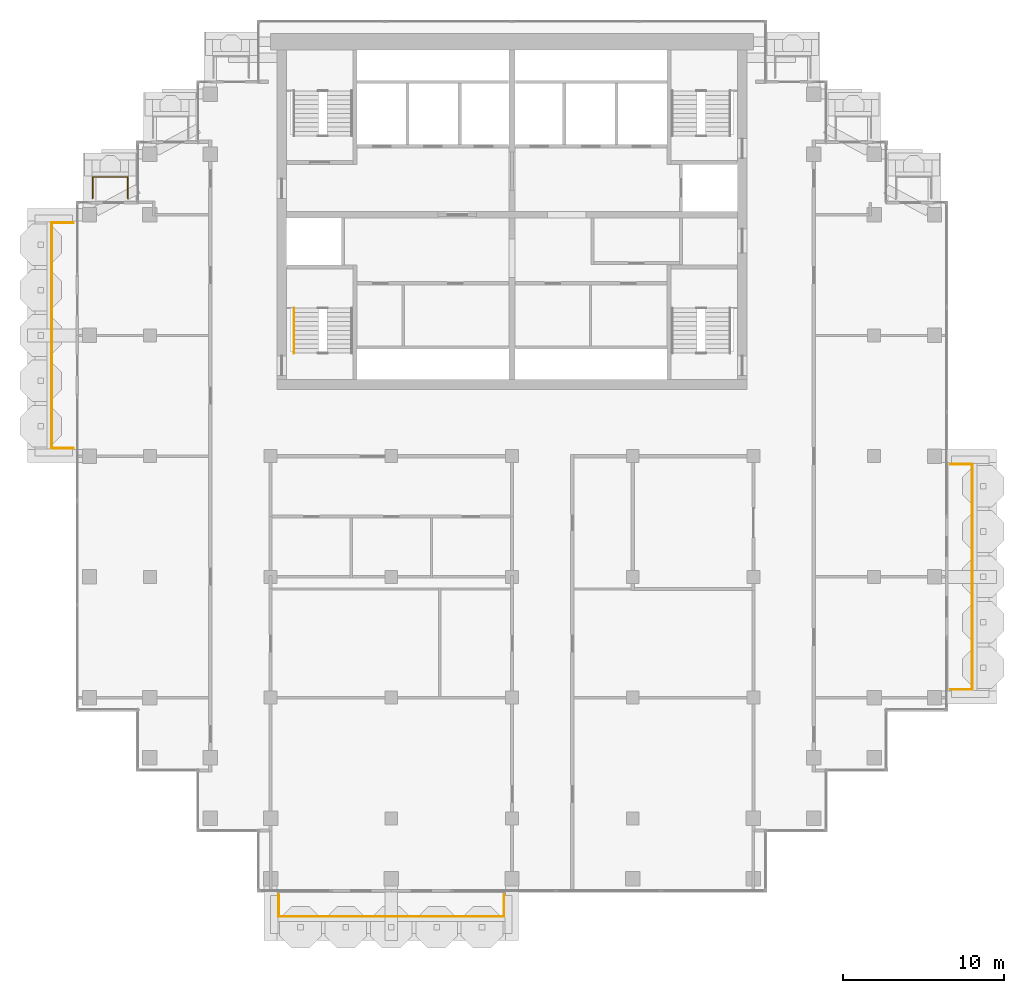
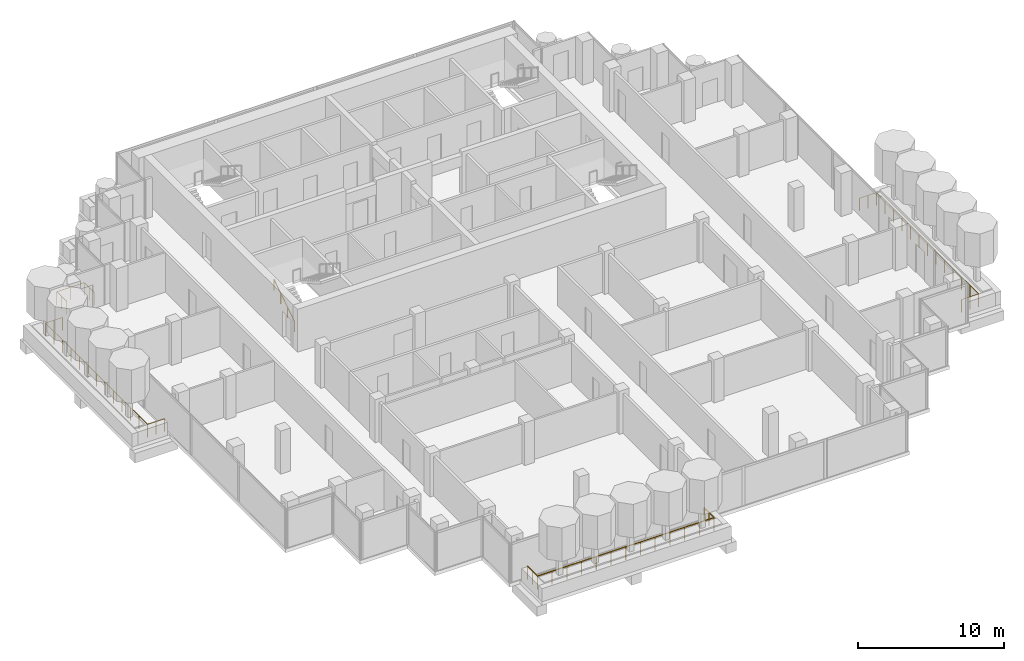
# One storey, part 16 of 18: 5 railings.
"""IFC4 building model written with IfcOpenShell, lengths in metres."""

from ifc_helpers import new_model, si_unit, direction, frame, origin, origin_2d, place, context, subcontext, project, spatial, circle, extrude, material, type_object, element, save


model = new_model("IFC4")

# Units and contexts
model_context = context("Model", 3, precision=1e-05, world=origin(), true_north=direction((0.0, 1.0)))
body_context = subcontext(model_context, "Body", "Model", "MODEL_VIEW")
ifc_project = project(units=[si_unit("LENGTHUNIT", "METRE"), si_unit("AREAUNIT", "SQUARE_METRE"), si_unit("VOLUMEUNIT", "CUBIC_METRE"), si_unit("PLANEANGLEUNIT", "RADIAN"), si_unit("MASSUNIT", "GRAM", prefix="KILO")], contexts=[model_context])

# Site, building, storey
site_placement = place(None, origin())
site = spatial("IfcSite", under=ifc_project, at=site_placement, CompositionType="ELEMENT")
building_placement = place(site_placement, origin())
building = spatial("IfcBuilding", under=site, at=building_placement, Name="Pilkhan Gate Tower", CompositionType="ELEMENT")
storey_placement = place(building_placement, frame((0.0, 0.0, 235.5)))
storey = spatial("IfcBuildingStorey", under=building, at=storey_placement, Name="L61", CompositionType="ELEMENT", Elevation=235.5)

# Railings
ifc_material_1 = material(Name="Pale anodised aluminium posts, laminated glass infill", Category="aluminium")
railing_type_1 = type_object("IfcRailingType", Name="Balcony guard G1", PredefinedType="BALUSTRADE", material=ifc_material_1)
railing_1_placement = place(storey_placement, frame((60.5, 40.25, 0.0)))
element("IfcRailing", 1, at=railing_1_placement, inside=storey, type_object=railing_type_1, Name="Balcony guard L61 S", PredefinedType="BALUSTRADE", context=body_context, shape_type="SweptSolid", body=[
    extrude(circle(Radius=0.02392578125, at=origin_2d()), frame((0.0, 0.0, 1.076171875), z_axis=(0.0, -1.0, 0.0), x_axis=(1.0, 0.0, 0.0)), (0.0, 0.0, 1.0), 1.35009765625),
    extrude(circle(Radius=0.02392578125, at=origin_2d()), frame((0.0, -1.35009765625, 1.076171875), z_axis=(1.0, 0.0, 0.0), x_axis=(0.0, 1.0, 0.0)), (0.0, 0.0, 1.0), 14.0),
    extrude(circle(Radius=0.02392578125, at=origin_2d()), frame((14.0, -1.35009765625, 1.076171875), z_axis=(0.0, 1.0, 0.0), x_axis=(-1.0, 0.0, 0.0)), (0.0, 0.0, 1.0), 1.35009765625),
    extrude(circle(Radius=0.02099609375, at=origin_2d()), origin(), (0.0, 0.0, 1.0), 1.052001953125),
    extrude(circle(Radius=0.02099609375, at=origin_2d()), frame((0.0, -0.675048828125, 0.0)), (0.0, 0.0, 1.0), 1.052001953125),
    extrude(circle(Radius=0.02099609375, at=origin_2d()), frame((0.0, -1.35009765625, 0.0)), (0.0, 0.0, 1.0), 1.052001953125),
    extrude(circle(Radius=0.02099609375, at=origin_2d()), frame((1.166748046875, -1.35009765625, 0.0)), (0.0, 0.0, 1.0), 1.052001953125),
    extrude(circle(Radius=0.02099609375, at=origin_2d()), frame((2.333251953125, -1.35009765625, 0.0)), (0.0, 0.0, 1.0), 1.052001953125),
    extrude(circle(Radius=0.02099609375, at=origin_2d()), frame((3.5, -1.35009765625, 0.0)), (0.0, 0.0, 1.0), 1.052001953125),
    extrude(circle(Radius=0.02099609375, at=origin_2d()), frame((4.666748046875, -1.35009765625, 0.0)), (0.0, 0.0, 1.0), 1.052001953125),
    extrude(circle(Radius=0.02099609375, at=origin_2d()), frame((5.833251953125, -1.35009765625, 0.0)), (0.0, 0.0, 1.0), 1.052001953125),
    extrude(circle(Radius=0.02099609375, at=origin_2d()), frame((7.0, -1.35009765625, 0.0)), (0.0, 0.0, 1.0), 1.052001953125),
    extrude(circle(Radius=0.02099609375, at=origin_2d()), frame((8.166748046875, -1.35009765625, 0.0)), (0.0, 0.0, 1.0), 1.052001953125),
    extrude(circle(Radius=0.02099609375, at=origin_2d()), frame((9.333251953125, -1.35009765625, 0.0)), (0.0, 0.0, 1.0), 1.052001953125),
    extrude(circle(Radius=0.02099609375, at=origin_2d()), frame((10.5, -1.35009765625, 0.0)), (0.0, 0.0, 1.0), 1.052001953125),
    extrude(circle(Radius=0.02099609375, at=origin_2d()), frame((11.666748046875, -1.35009765625, 0.0)), (0.0, 0.0, 1.0), 1.052001953125),
    extrude(circle(Radius=0.02099609375, at=origin_2d()), frame((12.833251953125, -1.35009765625, 0.0)), (0.0, 0.0, 1.0), 1.052001953125),
    extrude(circle(Radius=0.02099609375, at=origin_2d()), frame((14.0, -1.35009765625, 0.0)), (0.0, 0.0, 1.0), 1.052001953125),
    extrude(circle(Radius=0.02099609375, at=origin_2d()), frame((14.0, -0.675048828125, 0.0)), (0.0, 0.0, 1.0), 1.052001953125),
    extrude(circle(Radius=0.02099609375, at=origin_2d()), frame((14.0, 0.0, 0.0)), (0.0, 0.0, 1.0), 1.052001953125),
])
railing_2_placement = place(storey_placement, frame((102.25, 53.0, 0.0)))
element("IfcRailing", 2, at=railing_2_placement, inside=storey, type_object=railing_type_1, Name="Balcony guard L61 E", PredefinedType="BALUSTRADE", context=body_context, shape_type="SweptSolid", body=[
    extrude(circle(Radius=0.02392578125, at=origin_2d()), frame((0.0, 0.0, 1.076171875), z_axis=(1.0, 0.0, 0.0), x_axis=(0.0, 1.0, 0.0)), (0.0, 0.0, 1.0), 1.35009765625),
    extrude(circle(Radius=0.02392578125, at=origin_2d()), frame((1.35009765625, 0.0, 1.076171875), z_axis=(0.0, 1.0, 0.0), x_axis=(-1.0, 0.0, 0.0)), (0.0, 0.0, 1.0), 14.0),
    extrude(circle(Radius=0.02392578125, at=origin_2d()), frame((1.35009765625, 14.0, 1.076171875), z_axis=(-1.0, 0.0, 0.0), x_axis=(0.0, -1.0, 0.0)), (0.0, 0.0, 1.0), 1.35009765625),
    extrude(circle(Radius=0.02099609375, at=origin_2d()), origin(), (0.0, 0.0, 1.0), 1.052001953125),
    extrude(circle(Radius=0.02099609375, at=origin_2d()), frame((0.675048828125, 0.0, 0.0)), (0.0, 0.0, 1.0), 1.052001953125),
    extrude(circle(Radius=0.02099609375, at=origin_2d()), frame((1.35009765625, 0.0, 0.0)), (0.0, 0.0, 1.0), 1.052001953125),
    extrude(circle(Radius=0.02099609375, at=origin_2d()), frame((1.35009765625, 1.166748046875, 0.0)), (0.0, 0.0, 1.0), 1.052001953125),
    extrude(circle(Radius=0.02099609375, at=origin_2d()), frame((1.35009765625, 2.333251953125, 0.0)), (0.0, 0.0, 1.0), 1.052001953125),
    extrude(circle(Radius=0.02099609375, at=origin_2d()), frame((1.35009765625, 3.5, 0.0)), (0.0, 0.0, 1.0), 1.052001953125),
    extrude(circle(Radius=0.02099609375, at=origin_2d()), frame((1.35009765625, 4.666748046875, 0.0)), (0.0, 0.0, 1.0), 1.052001953125),
    extrude(circle(Radius=0.02099609375, at=origin_2d()), frame((1.35009765625, 5.833251953125, 0.0)), (0.0, 0.0, 1.0), 1.052001953125),
    extrude(circle(Radius=0.02099609375, at=origin_2d()), frame((1.35009765625, 7.0, 0.0)), (0.0, 0.0, 1.0), 1.052001953125),
    extrude(circle(Radius=0.02099609375, at=origin_2d()), frame((1.35009765625, 8.166748046875, 0.0)), (0.0, 0.0, 1.0), 1.052001953125),
    extrude(circle(Radius=0.02099609375, at=origin_2d()), frame((1.35009765625, 9.333251953125, 0.0)), (0.0, 0.0, 1.0), 1.052001953125),
    extrude(circle(Radius=0.02099609375, at=origin_2d()), frame((1.35009765625, 10.5, 0.0)), (0.0, 0.0, 1.0), 1.052001953125),
    extrude(circle(Radius=0.02099609375, at=origin_2d()), frame((1.35009765625, 11.666748046875, 0.0)), (0.0, 0.0, 1.0), 1.052001953125),
    extrude(circle(Radius=0.02099609375, at=origin_2d()), frame((1.35009765625, 12.833251953125, 0.0)), (0.0, 0.0, 1.0), 1.052001953125),
    extrude(circle(Radius=0.02099609375, at=origin_2d()), frame((1.35009765625, 14.0, 0.0)), (0.0, 0.0, 1.0), 1.052001953125),
    extrude(circle(Radius=0.02099609375, at=origin_2d()), frame((0.675048828125, 14.0, 0.0)), (0.0, 0.0, 1.0), 1.052001953125),
    extrude(circle(Radius=0.02099609375, at=origin_2d()), frame((0.0, 14.0, 0.0)), (0.0, 0.0, 1.0), 1.052001953125),
])
railing_3_placement = place(storey_placement, frame((48.949951171875, 83.52001953125, 0.0)))
element("IfcRailing", 3, at=railing_3_placement, inside=storey, type_object=railing_type_1, Name="Balcony guard L61 N", PredefinedType="BALUSTRADE", context=body_context, shape_type="SweptSolid", body=[
    extrude(circle(Radius=0.02392578125, at=origin_2d()), frame((0.0, 0.0, 1.076171875), z_axis=(0.0, 1.0, 0.0), x_axis=(-1.0, 0.0, 0.0)), (0.0, 0.0, 1.0), 1.330078125),
    extrude(circle(Radius=0.02392578125, at=origin_2d()), frame((0.0, 1.330078125, 1.076171875), z_axis=(1.0, 0.0, 0.0), x_axis=(0.0, 1.0, 0.0)), (0.0, 0.0, 1.0), 2.179931640625),
    extrude(circle(Radius=0.02392578125, at=origin_2d()), frame((2.179931640625, 1.330078125, 1.076171875), z_axis=(0.0, -1.0, 0.0), x_axis=(1.0, 0.0, 0.0)), (0.0, 0.0, 1.0), 1.330078125),
    extrude(circle(Radius=0.02099609375, at=origin_2d()), origin(), (0.0, 0.0, 1.0), 1.052001953125),
    extrude(circle(Radius=0.02099609375, at=origin_2d()), frame((0.0, 0.6650390625, 0.0)), (0.0, 0.0, 1.0), 1.052001953125),
    extrude(circle(Radius=0.02099609375, at=origin_2d()), frame((0.0, 1.330078125, 0.0)), (0.0, 0.0, 1.0), 1.052001953125),
    extrude(circle(Radius=0.02099609375, at=origin_2d()), frame((1.08984375, 1.330078125, 0.0)), (0.0, 0.0, 1.0), 1.052001953125),
    extrude(circle(Radius=0.02099609375, at=origin_2d()), frame((2.179931640625, 1.330078125, 0.0)), (0.0, 0.0, 1.0), 1.052001953125),
    extrude(circle(Radius=0.02099609375, at=origin_2d()), frame((2.179931640625, 0.6650390625, 0.0)), (0.0, 0.0, 1.0), 1.052001953125),
    extrude(circle(Radius=0.02099609375, at=origin_2d()), frame((2.179931640625, 0.0, 0.0)), (0.0, 0.0, 1.0), 1.052001953125),
])
railing_4_placement = place(storey_placement, frame((47.75, 68.0, 0.0)))
element("IfcRailing", 4, at=railing_4_placement, inside=storey, type_object=railing_type_1, Name="Balcony guard L61 W", PredefinedType="BALUSTRADE", context=body_context, shape_type="SweptSolid", body=[
    extrude(circle(Radius=0.02392578125, at=origin_2d()), frame((0.0, 0.0, 1.076171875), z_axis=(-1.0, 0.0, 0.0), x_axis=(0.0, -1.0, 0.0)), (0.0, 0.0, 1.0), 1.35009765625),
    extrude(circle(Radius=0.02392578125, at=origin_2d()), frame((-1.35009765625, 0.0, 1.076171875), z_axis=(0.0, 1.0, 0.0), x_axis=(-1.0, 0.0, 0.0)), (0.0, 0.0, 1.0), 14.0),
    extrude(circle(Radius=0.02392578125, at=origin_2d()), frame((-1.35009765625, 14.0, 1.076171875), z_axis=(1.0, 0.0, 0.0), x_axis=(0.0, 1.0, 0.0)), (0.0, 0.0, 1.0), 1.35009765625),
    extrude(circle(Radius=0.02099609375, at=origin_2d()), origin(), (0.0, 0.0, 1.0), 1.052001953125),
    extrude(circle(Radius=0.02099609375, at=origin_2d()), frame((-0.675048828125, 0.0, 0.0)), (0.0, 0.0, 1.0), 1.052001953125),
    extrude(circle(Radius=0.02099609375, at=origin_2d()), frame((-1.35009765625, 0.0, 0.0)), (0.0, 0.0, 1.0), 1.052001953125),
    extrude(circle(Radius=0.02099609375, at=origin_2d()), frame((-1.35009765625, 1.166748046875, 0.0)), (0.0, 0.0, 1.0), 1.052001953125),
    extrude(circle(Radius=0.02099609375, at=origin_2d()), frame((-1.35009765625, 2.333251953125, 0.0)), (0.0, 0.0, 1.0), 1.052001953125),
    extrude(circle(Radius=0.02099609375, at=origin_2d()), frame((-1.35009765625, 3.5, 0.0)), (0.0, 0.0, 1.0), 1.052001953125),
    extrude(circle(Radius=0.02099609375, at=origin_2d()), frame((-1.35009765625, 4.666748046875, 0.0)), (0.0, 0.0, 1.0), 1.052001953125),
    extrude(circle(Radius=0.02099609375, at=origin_2d()), frame((-1.35009765625, 5.833251953125, 0.0)), (0.0, 0.0, 1.0), 1.052001953125),
    extrude(circle(Radius=0.02099609375, at=origin_2d()), frame((-1.35009765625, 7.0, 0.0)), (0.0, 0.0, 1.0), 1.052001953125),
    extrude(circle(Radius=0.02099609375, at=origin_2d()), frame((-1.35009765625, 8.166748046875, 0.0)), (0.0, 0.0, 1.0), 1.052001953125),
    extrude(circle(Radius=0.02099609375, at=origin_2d()), frame((-1.35009765625, 9.333251953125, 0.0)), (0.0, 0.0, 1.0), 1.052001953125),
    extrude(circle(Radius=0.02099609375, at=origin_2d()), frame((-1.35009765625, 10.5, 0.0)), (0.0, 0.0, 1.0), 1.052001953125),
    extrude(circle(Radius=0.02099609375, at=origin_2d()), frame((-1.35009765625, 11.666748046875, 0.0)), (0.0, 0.0, 1.0), 1.052001953125),
    extrude(circle(Radius=0.02099609375, at=origin_2d()), frame((-1.35009765625, 12.833251953125, 0.0)), (0.0, 0.0, 1.0), 1.052001953125),
    extrude(circle(Radius=0.02099609375, at=origin_2d()), frame((-1.35009765625, 14.0, 0.0)), (0.0, 0.0, 1.0), 1.052001953125),
    extrude(circle(Radius=0.02099609375, at=origin_2d()), frame((-0.675048828125, 14.0, 0.0)), (0.0, 0.0, 1.0), 1.052001953125),
    extrude(circle(Radius=0.02099609375, at=origin_2d()), frame((0.0, 14.0, 0.0)), (0.0, 0.0, 1.0), 1.052001953125),
])
ifc_material_2 = material(Name="Black powder-coated steel tube", Category="steel")
railing_type_2 = type_object("IfcRailingType", Name="Stair handrail HR1", PredefinedType="HANDRAIL", material=ifc_material_2)
railing_5_placement = place(storey_placement, frame((61.449951171875, 73.89990234375, 0.0)))
element("IfcRailing", 5, at=railing_5_placement, inside=storey, type_object=railing_type_2, Name="Stair ST2 handrail L61", PredefinedType="HANDRAIL", context=body_context, shape_type="SweptSolid", body=[
    extrude(circle(Radius=0.02392578125, at=origin_2d()), frame((0.0, 0.0, 0.8759765625), z_axis=(0.0, 0.841176092368, 0.540761298198), x_axis=(-1.0, 0.0, 0.0)), (0.0, 0.0, 1.0), 3.32861328125),
    extrude(circle(Radius=0.02099609375, at=origin_2d()), origin(), (0.0, 0.0, 1.0), 0.851806640625),
    extrude(circle(Radius=0.02099609375, at=origin_2d()), frame((0.0, 0.933349609375, 0.60009765625)), (0.0, 0.0, 1.0), 0.851806640625),
    extrude(circle(Radius=0.02099609375, at=origin_2d()), frame((0.0, 1.86669921875, 1.199951171875)), (0.0, 0.0, 1.0), 0.851806640625),
    extrude(circle(Radius=0.02099609375, at=origin_2d()), frame((0.0, 2.800048828125, 1.800048828125)), (0.0, 0.0, 1.0), 0.851806640625),
])

save(model, "model.ifc")
